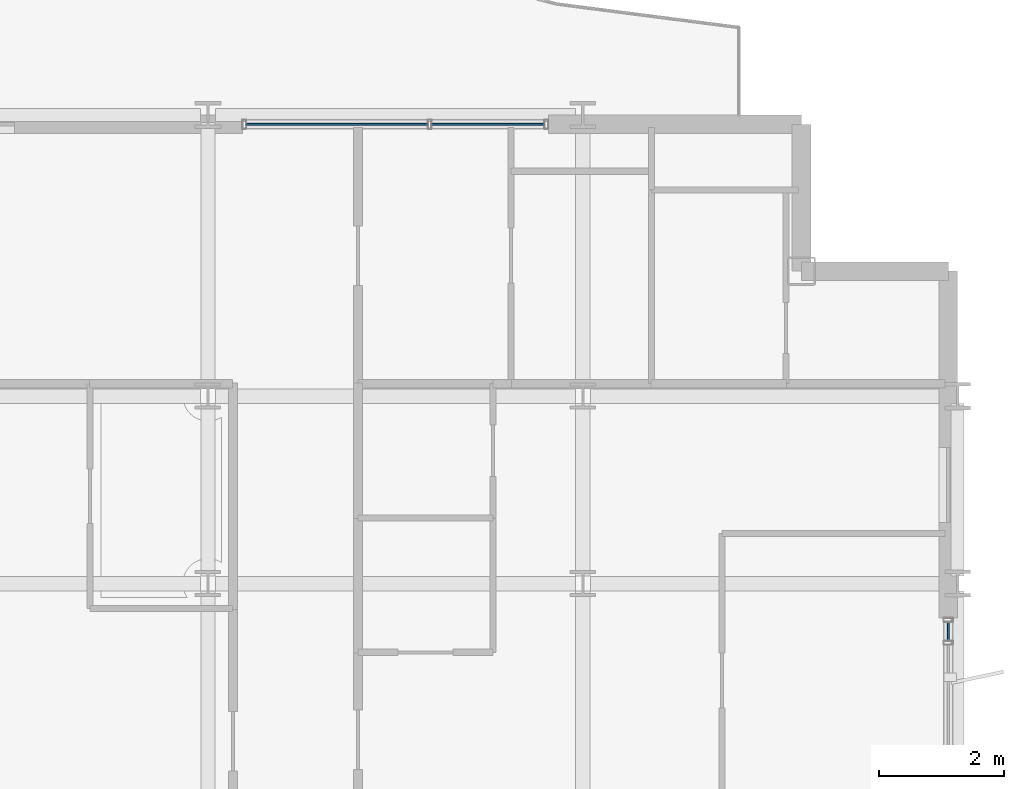
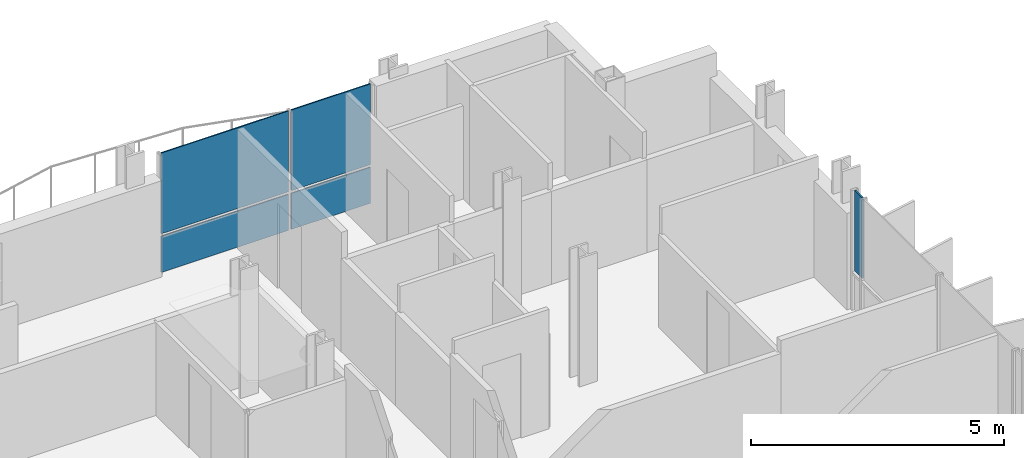
# One storey, part 24 of 39: 5 plates, 2 elements without a shape of their own.
"""IFC4 building model written with IfcOpenShell, lengths in metres."""

from ifc_helpers import new_model, si_unit, direction, frame, origin, origin_2d, place, context, subcontext, project, spatial, rectangle, extrude, material, layer, layer_set, type_object, element, aggregate, save


model = new_model("IFC4")

# Units and contexts
model_context = context("Model", 3, precision=1e-05, world=origin(), true_north=direction((0.0, 1.0)))
body_context = subcontext(model_context, "Body", "Model", "MODEL_VIEW")
ifc_project = project(units=[si_unit("LENGTHUNIT", "METRE"), si_unit("AREAUNIT", "SQUARE_METRE"), si_unit("VOLUMEUNIT", "CUBIC_METRE"), si_unit("PLANEANGLEUNIT", "RADIAN"), si_unit("MASSUNIT", "GRAM", prefix="KILO")], contexts=[model_context])

# Site, building, storey
site_placement = place(None, origin())
site = spatial("IfcSite", under=ifc_project, at=site_placement, CompositionType="ELEMENT")
building_placement = place(site_placement, origin())
building = spatial("IfcBuilding", under=site, at=building_placement, Name="Brevholm Reach", CompositionType="ELEMENT")
storey_placement = place(building_placement, frame((0.0, 0.0, 109.699951171875)))
storey = spatial("IfcBuildingStorey", under=building, at=storey_placement, Name="L32", CompositionType="ELEMENT", Elevation=109.699951171875)

# Curtain wall, plate
ifc_material_1 = material(Name="Dark Anodised Aluminium 6063-T6 and Solar-Control Glass", Category="aluminium")
ifc_layer_1 = layer(ifc_material_1, 0.14990234375)
ifc_layer_set_1 = layer_set([ifc_layer_1], Name="Dark Anodised Aluminium 6063-T6 and Solar-Control Glass")
curtain_wall_type = type_object("IfcCurtainWallType", Name="CW-01", PredefinedType="NOTDEFINED", material=ifc_layer_set_1)
curtain_wall_1_placement = place(storey_placement, origin())
curtain_wall_1 = element("IfcCurtainWall", 1, at=curtain_wall_1_placement, inside=storey, type_object=curtain_wall_type, Name="L32 Curtain Wall CW-01", PredefinedType="NOTDEFINED")
ifc_material_2 = material(Name="Dark Solar-Control Double-Glazed IGU Glass", Category="glass")
ifc_layer_2 = layer(ifc_material_2, 0.028076171875)
ifc_layer_set_2 = layer_set([ifc_layer_2], Name="Dark Solar-Control Double-Glazed IGU Glass")
plate_type = type_object("IfcPlateType", Name="CWP-GLZ-28", PredefinedType="CURTAIN_PANEL", material=ifc_layer_set_2)
plate_1_placement = place(storey_placement, frame((59.85009765625, 22.733642578125, 0.9326171875), z_axis=(0.0, 0.0, 1.0), x_axis=(0.0, 1.0, 0.0)))
plate_1 = element("IfcPlate", 2, at=plate_1_placement, type_object=plate_type, Name="CP-01 Glazing Panel 5.2", PredefinedType="CURTAIN_PANEL", context=body_context, shape_type="SweptSolid", body=[
    extrude(rectangle(XDim=0.302490234375, YDim=0.028076171875, at=origin_2d()), origin(), (0.0, 0.0, 1.0), 1.947509765625),
])
aggregate(curtain_wall_1, [plate_1])

# Curtain wall, plates
curtain_wall_2_placement = place(storey_placement, origin())
curtain_wall_2 = element("IfcCurtainWall", 3, at=curtain_wall_2_placement, inside=storey, type_object=curtain_wall_type, Name="L32 Curtain Wall CW-01", PredefinedType="NOTDEFINED")
plate_2_placement = place(storey_placement, frame((50.066162109375, 30.85009765625, 0.0), z_axis=(0.0, 0.0, 1.0), x_axis=(1.0, 0.0, 0.0)))
plate_2 = element("IfcPlate", 4, at=plate_2_placement, type_object=plate_type, Name="CP-01 Glazing Panel 1.1", PredefinedType="CURTAIN_PANEL", context=body_context, shape_type="SweptSolid", body=[
    extrude(rectangle(XDim=2.902587890625, YDim=0.028076171875, at=origin_2d()), origin(), (0.0, 0.0, 1.0), 0.867431640625),
])
plate_3_placement = place(storey_placement, frame((50.066162109375, 30.85009765625, 0.9326171875), z_axis=(0.0, 0.0, 1.0), x_axis=(1.0, 0.0, 0.0)))
plate_3 = element("IfcPlate", 5, at=plate_3_placement, type_object=plate_type, Name="CP-01 Glazing Panel 1.2", PredefinedType="CURTAIN_PANEL", context=body_context, shape_type="SweptSolid", body=[
    extrude(rectangle(XDim=2.902587890625, YDim=0.028076171875, at=origin_2d()), origin(), (0.0, 0.0, 1.0), 1.947509765625),
])
plate_4_placement = place(storey_placement, frame((52.483642578125, 30.85009765625, 0.0), z_axis=(0.0, 0.0, 1.0), x_axis=(1.0, 0.0, 0.0)))
plate_4 = element("IfcPlate", 6, at=plate_4_placement, type_object=plate_type, Name="CP-01 Glazing Panel 2.1", PredefinedType="CURTAIN_PANEL", context=body_context, shape_type="SweptSolid", body=[
    extrude(rectangle(XDim=1.802490234375, YDim=0.028076171875, at=origin_2d()), origin(), (0.0, 0.0, 1.0), 0.867431640625),
])
plate_5_placement = place(storey_placement, frame((52.483642578125, 30.85009765625, 0.9326171875), z_axis=(0.0, 0.0, 1.0), x_axis=(1.0, 0.0, 0.0)))
plate_5 = element("IfcPlate", 7, at=plate_5_placement, type_object=plate_type, Name="CP-01 Glazing Panel 2.2", PredefinedType="CURTAIN_PANEL", context=body_context, shape_type="SweptSolid", body=[
    extrude(rectangle(XDim=1.802490234375, YDim=0.028076171875, at=origin_2d()), origin(), (0.0, 0.0, 1.0), 1.947509765625),
])
aggregate(curtain_wall_2, [plate_2, plate_3, plate_4, plate_5])

save(model, "model.ifc")
